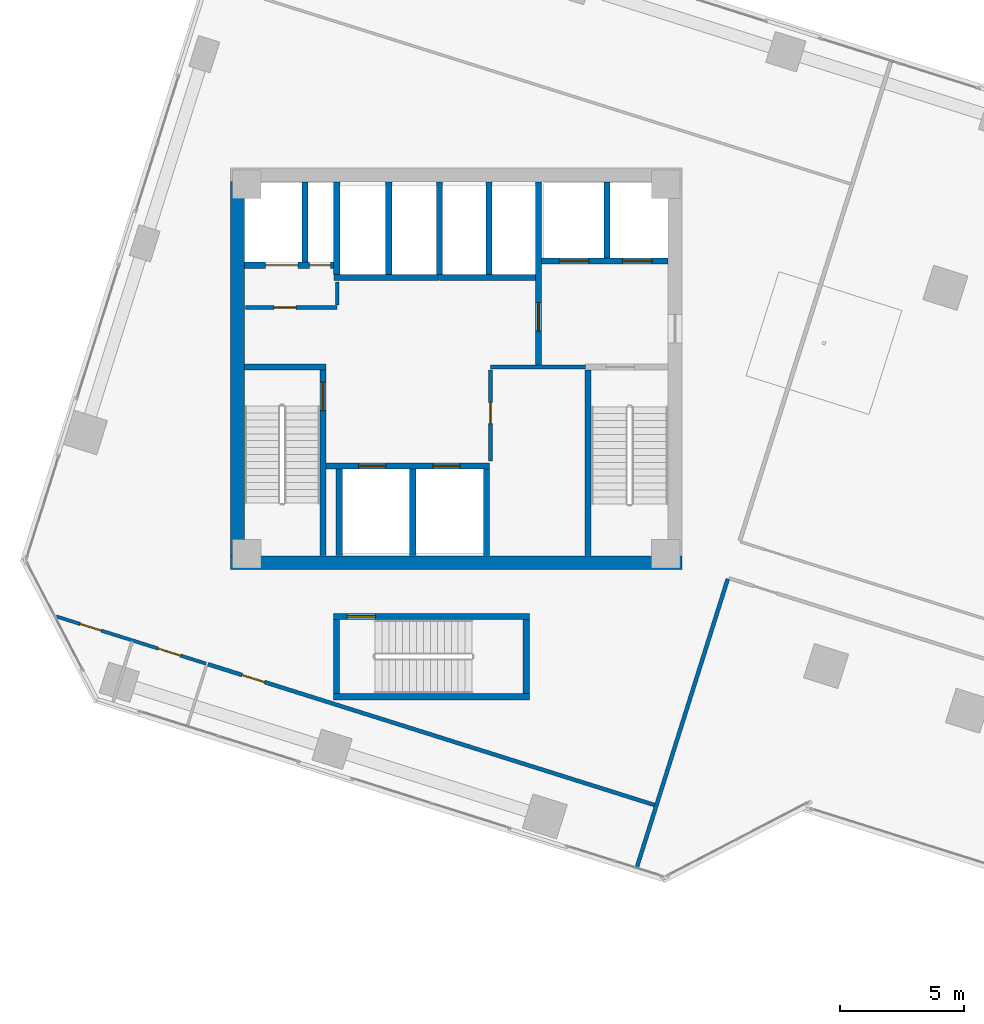
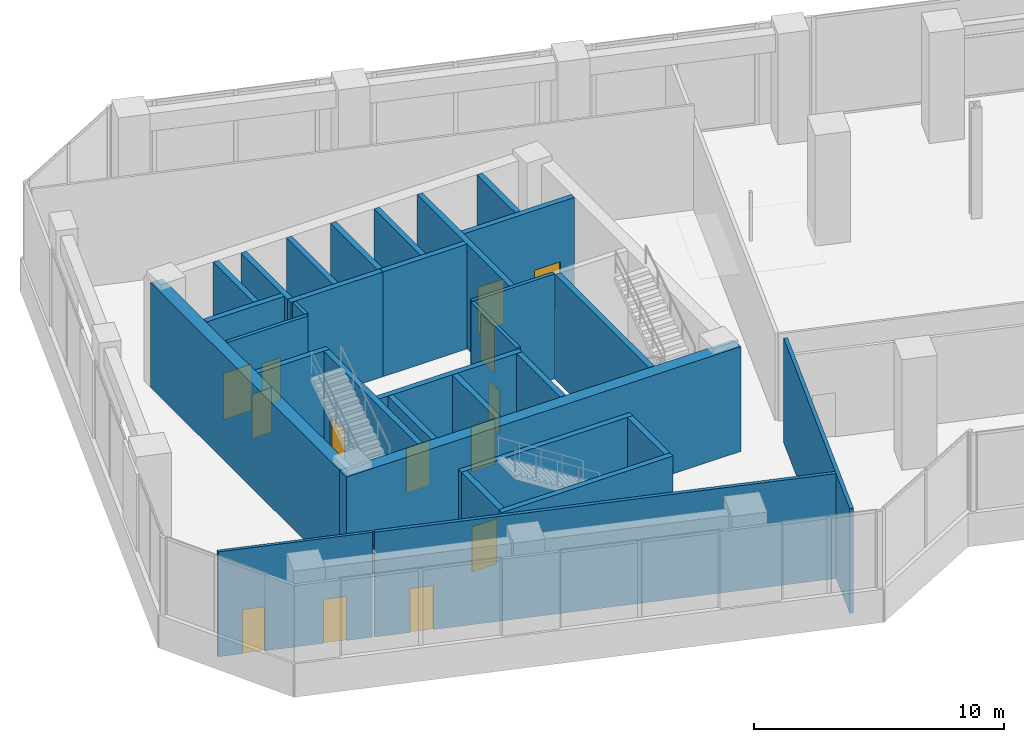
# One storey, part 21 of 28: 31 walls, 14 doors, 14 openings.
"""IFC4 building model written with IfcOpenShell, lengths in metres."""

from ifc_helpers import new_model, si_unit, direction, frame, frame_2d, origin, place, context, subcontext, project, spatial, rectangle, extrude, source, transform, mapped, material, layer, layer_set, type_object, element, fill, save


model = new_model("IFC4")

# Units and contexts
model_context = context("Model", 3, precision=1e-05, world=origin(), true_north=direction((0.0, 1.0)))
body_context = subcontext(model_context, "Body", "Model", "MODEL_VIEW")
ifc_project = project(units=[si_unit("LENGTHUNIT", "METRE"), si_unit("AREAUNIT", "SQUARE_METRE"), si_unit("VOLUMEUNIT", "CUBIC_METRE"), si_unit("PLANEANGLEUNIT", "RADIAN"), si_unit("MASSUNIT", "GRAM", prefix="KILO")], contexts=[model_context])

# Site, building, storey
site_placement = place(None, origin())
site = spatial("IfcSite", under=ifc_project, at=site_placement, CompositionType="ELEMENT")
building_placement = place(site_placement, origin())
building = spatial("IfcBuilding", under=site, at=building_placement, Name="Torre Montelarca", CompositionType="ELEMENT")
storey_placement = place(building_placement, frame((0.0, 0.0, 116.800048828125)))
storey = spatial("IfcBuildingStorey", under=building, at=storey_placement, Name="L26", CompositionType="ELEMENT", Elevation=116.800048828125)

# Wall, opening, door
ifc_material_1 = material(Name="Concrete C40/50", Category="concrete")
ifc_layer_1 = layer(ifc_material_1, 0.25, Name="Concrete C40/50", Category="concrete")
ifc_layer_set_1 = layer_set([ifc_layer_1], Name="Concrete C40/50")
wall_type_1 = type_object("IfcWallType", Name="CW-SHAFT-250", PredefinedType="SHEAR", material=ifc_layer_set_1)
wall_1_placement = place(storey_placement, frame((12.625, 24.4599609375, 0.0), z_axis=(0.0, 0.0, 1.0), x_axis=(0.0, 1.0, 0.0)))
wall_1 = element("IfcWall", 1, at=wall_1_placement, inside=storey, type_object=wall_type_1, Name="L26 Core Shear Wall SH-ST1-E", PredefinedType="SHEAR", context=body_context, shape_type="SweptSolid", body=[
    extrude(rectangle(XDim=7.489990234375, YDim=0.25, at=frame_2d((3.7451171875, 0.0))), origin(), (0.0, 0.0, 1.0), 5.119873046875),
])
opening_1_placement = place(wall_1_placement, frame((5.85009765625, 0.0, 0.0)))
opening_1 = element("IfcOpeningElement", 2, at=opening_1_placement, cuts=wall_1, Name="Opening FD-ST1", PredefinedType="OPENING", context=body_context, shape_type="SweptSolid", body=[
    extrude(rectangle(XDim=1.14990234375, YDim=2.199951171875, at=frame_2d((0.574951171875, 1.10009765625))), frame((0.0, 0.135009765625, 0.0), z_axis=(0.0, -1.0, 0.0), x_axis=(1.0, 0.0, 0.0)), (0.0, 0.0, 1.0), 0.27001953125),
])
ifc_material_2 = material(Name="Galvanized steel fire door", Category="steel")
door_type_1 = type_object("IfcDoorType", Name="DR-STAIR-115", OperationType="NOTDEFINED", PredefinedType="DOOR", material=ifc_material_2)
shared_shape_1 = source(origin(), body_context, "Body", "SweptSolid", [
    extrude(rectangle(XDim=1.14990234375, YDim=2.199951171875, at=frame_2d((0.574951171875, 1.10009765625))), frame((0.0, 0.02490234375, 0.0), z_axis=(0.0, -1.0, 0.0), x_axis=(1.0, 0.0, 0.0)), (0.0, 0.0, 1.0), 0.050048828125),
])
door_1_placement = place(opening_1_placement, origin())
door_1 = element("IfcDoor", 3, at=door_1_placement, inside=storey, type_object=door_type_1, Name="L26 Exit Stair ST1 Fire Door", OperationType="SINGLE_SWING_RIGHT", OverallHeight=2.199951171875, OverallWidth=1.14990234375, PredefinedType="DOOR", context=body_context, shape_type="MappedRepresentation", body=[
    mapped(shared_shape_1, transform((0.0, 0.0, 0.0), scale=1.0)),
])
fill(opening_1, door_1)

# Walls
wall_2_placement = place(storey_placement, frame((9.4599609375, 32.074951171875, 0.0), z_axis=(0.0, 0.0, 1.0), x_axis=(1.0, 0.0, 0.0)))
element("IfcWall", 4, at=wall_2_placement, inside=storey, type_object=wall_type_1, Name="L26 Core Shear Wall SH-ST1-N", PredefinedType="SHEAR", context=body_context, shape_type="SweptSolid", body=[
    extrude(rectangle(XDim=3.2900390625, YDim=0.25, at=frame_2d((1.64501953125, 0.0))), origin(), (0.0, 0.0, 1.0), 5.119873046875),
])
wall_3_placement = place(storey_placement, frame((23.31494140625, 24.4599609375, 0.0), z_axis=(0.0, 0.0, 1.0), x_axis=(0.0, 1.0, 0.0)))
element("IfcWall", 5, at=wall_3_placement, inside=storey, type_object=wall_type_1, Name="L26 Core Shear Wall SH-ST2-W", PredefinedType="SHEAR", context=body_context, shape_type="SweptSolid", body=[
    extrude(rectangle(XDim=7.489990234375, YDim=0.25, at=frame_2d((3.7451171875, 0.0))), origin(), (0.0, 0.0, 1.0), 5.119873046875),
])

# Wall, opening, door
wall_4_placement = place(storey_placement, frame((21.320068359375, 32.1201171875, 0.0), z_axis=(0.0, 0.0, 1.0), x_axis=(0.0, 1.0, 0.0)))
wall_4 = element("IfcWall", 6, at=wall_4_placement, inside=storey, type_object=wall_type_1, Name="L26 Core Shear Wall SH-FFL-W", PredefinedType="SHEAR", context=body_context, shape_type="SweptSolid", body=[
    extrude(rectangle(XDim=7.419921875, YDim=0.25, at=frame_2d((3.7099609375, 0.0))), origin(), (0.0, 0.0, 1.0), 5.119873046875),
])
opening_2_placement = place(wall_4_placement, frame((1.39990234375, 0.0, 0.0)))
opening_2 = element("IfcOpeningElement", 7, at=opening_2_placement, cuts=wall_4, Name="Opening FD-LB1", PredefinedType="OPENING", context=body_context, shape_type="SweptSolid", body=[
    extrude(rectangle(XDim=1.14990234375, YDim=2.199951171875, at=frame_2d((0.574951171875, 1.10009765625))), frame((0.0, 0.135009765625, 0.0), z_axis=(0.0, -1.0, 0.0), x_axis=(1.0, 0.0, 0.0)), (0.0, 0.0, 1.0), 0.27001953125),
])
ifc_material_3 = material(Name="Acoustic timber-veneered fire door", Category="wood")
door_type_2 = type_object("IfcDoorType", Name="DR-LOBBY-115", OperationType="NOTDEFINED", PredefinedType="DOOR", material=ifc_material_3)
shared_shape_2 = source(origin(), body_context, "Body", "SweptSolid", [
    extrude(rectangle(XDim=1.14990234375, YDim=2.199951171875, at=frame_2d((0.574951171875, 1.10009765625))), frame((0.0, 0.02490234375, 0.0), z_axis=(0.0, -1.0, 0.0), x_axis=(1.0, 0.0, 0.0)), (0.0, 0.0, 1.0), 0.050048828125),
])
door_2_placement = place(opening_2_placement, origin())
door_2 = element("IfcDoor", 8, at=door_2_placement, inside=storey, type_object=door_type_2, Name="L26 Lift Lobby to Firefighting Lobby Smoke Door", OperationType="SINGLE_SWING_LEFT", OverallHeight=2.199951171875, OverallWidth=1.14990234375, PredefinedType="DOOR", context=body_context, shape_type="MappedRepresentation", body=[
    mapped(shared_shape_2, transform((0.0, 0.0, 0.0), scale=1.0)),
])
fill(opening_2, door_2)

# Wall, openings, doors
wall_5_placement = place(storey_placement, frame((9.4599609375, 36.179931640625, 0.0), z_axis=(0.0, 0.0, 1.0), x_axis=(1.0, 0.0, 0.0)))
wall_5 = element("IfcWall", 9, at=wall_5_placement, inside=storey, type_object=wall_type_1, Name="L26 Core Shear Wall SH-SV1-S", PredefinedType="SHEAR", context=body_context, shape_type="SweptSolid", body=[
    extrude(rectangle(XDim=3.7900390625, YDim=0.25, at=frame_2d((1.89501953125, 0.0))), origin(), (0.0, 0.0, 1.0), 5.119873046875),
])
opening_3_placement = place(wall_5_placement, frame((2.6201171875, 0.0, 0.0)))
opening_3 = element("IfcOpeningElement", 10, at=opening_3_placement, cuts=wall_5, Name="Opening FD-085", PredefinedType="OPENING", context=body_context, shape_type="SweptSolid", body=[
    extrude(rectangle(XDim=0.85009765625, YDim=2.10009765625, at=frame_2d((0.425048828125, 1.050048828125))), frame((0.0, 0.135009765625, 0.0), z_axis=(0.0, -1.0, 0.0), x_axis=(1.0, 0.0, 0.0)), (0.0, 0.0, 1.0), 0.27001953125),
])
opening_4_placement = place(wall_5_placement, frame((0.85009765625, 0.0, 0.0)))
opening_4 = element("IfcOpeningElement", 11, at=opening_4_placement, cuts=wall_5, Name="Opening LD-130", PredefinedType="OPENING", context=body_context, shape_type="SweptSolid", body=[
    extrude(rectangle(XDim=1.300048828125, YDim=2.25, at=frame_2d((0.64990234375, 1.125))), frame((0.0, 0.135009765625, 0.0), z_axis=(0.0, -1.0, 0.0), x_axis=(1.0, 0.0, 0.0)), (0.0, 0.0, 1.0), 0.27001953125),
])
ifc_material_4 = material(Name="Steel riser access fire door", Category="steel")
door_type_3 = type_object("IfcDoorType", Name="DR-RISER-085", OperationType="NOTDEFINED", PredefinedType="DOOR", material=ifc_material_4)
shared_shape_3 = source(origin(), body_context, "Body", "SweptSolid", [
    extrude(rectangle(XDim=0.85009765625, YDim=2.10009765625, at=frame_2d((0.425048828125, 1.050048828125))), frame((0.0, 0.02490234375, 0.0), z_axis=(0.0, -1.0, 0.0), x_axis=(1.0, 0.0, 0.0)), (0.0, 0.0, 1.0), 0.050048828125),
])
door_3_placement = place(opening_3_placement, origin())
door_3 = element("IfcDoor", 12, at=door_3_placement, inside=storey, type_object=door_type_3, Name="L26 Electrical Riser Shaft Access Door", OperationType="SINGLE_SWING_RIGHT", OverallHeight=2.10009765625, OverallWidth=0.85009765625, PredefinedType="DOOR", context=body_context, shape_type="MappedRepresentation", body=[
    mapped(shared_shape_3, transform((0.0, 0.0, 0.0), scale=1.0)),
])
fill(opening_3, door_3)
ifc_material_5 = material(Name="Brushed stainless steel AISI 316", Category="steel")
door_type_4 = type_object("IfcDoorType", Name="DR-LIFT-130", OperationType="SLIDING_TO_LEFT", PredefinedType="DOOR", material=ifc_material_5)
shared_shape_4 = source(origin(), body_context, "Body", "SweptSolid", [
    extrude(rectangle(XDim=1.300048828125, YDim=2.25, at=frame_2d((0.64990234375, 1.125))), frame((0.0, 0.02490234375, 0.0), z_axis=(0.0, -1.0, 0.0), x_axis=(1.0, 0.0, 0.0)), (0.0, 0.0, 1.0), 0.050048828125),
])
door_4_placement = place(opening_4_placement, origin())
door_4 = element("IfcDoor", 13, at=door_4_placement, inside=storey, type_object=door_type_4, Name="L26 Lift Landing Sliding Door SV-1", OperationType="SLIDING_TO_LEFT", OverallHeight=2.25, OverallWidth=1.300048828125, PredefinedType="DOOR", context=body_context, shape_type="MappedRepresentation", body=[
    mapped(shared_shape_4, transform((0.0, 0.0, 0.0), scale=1.0)),
])
fill(opening_4, door_4)

# Wall
wall_6_placement = place(storey_placement, frame((11.89990234375, 36.31005859375, 0.0), z_axis=(0.0, 0.0, 1.0), x_axis=(0.0, 1.0, 0.0)))
element("IfcWall", 14, at=wall_6_placement, inside=storey, type_object=wall_type_1, Name="L26 Core Shear Wall SH-SV1-E", PredefinedType="SHEAR", context=body_context, shape_type="SweptSolid", body=[
    extrude(rectangle(XDim=3.22998046875, YDim=0.25, at=frame_2d((1.614990234375, 0.0))), origin(), (0.0, 0.0, 1.0), 5.119873046875),
])

# Wall, openings, doors
wall_7_placement = place(storey_placement, frame((21.449951171875, 36.35009765625, 0.0), z_axis=(0.0, 0.0, 1.0), x_axis=(1.0, 0.0, 0.0)))
wall_7 = element("IfcWall", 15, at=wall_7_placement, inside=storey, type_object=wall_type_1, Name="L26 Core Shear Wall SH-FF-S", PredefinedType="SHEAR", context=body_context, shape_type="SweptSolid", body=[
    extrude(rectangle(XDim=5.090087890625, YDim=0.25, at=frame_2d((2.544921875, 0.0))), origin(), (0.0, 0.0, 1.0), 5.119873046875),
])
opening_5_placement = place(wall_7_placement, frame((0.699951171875, 0.0, 0.0)))
opening_5 = element("IfcOpeningElement", 16, at=opening_5_placement, cuts=wall_7, Name="Opening LD-120", PredefinedType="OPENING", context=body_context, shape_type="SweptSolid", body=[
    extrude(rectangle(XDim=1.199951171875, YDim=2.199951171875, at=frame_2d((0.60009765625, 1.10009765625))), frame((0.0, 0.135009765625, 0.0), z_axis=(0.0, -1.0, 0.0), x_axis=(1.0, 0.0, 0.0)), (0.0, 0.0, 1.0), 0.27001953125),
])
opening_6_placement = place(wall_7_placement, frame((3.25, 0.0, 0.0)))
opening_6 = element("IfcOpeningElement", 17, at=opening_6_placement, cuts=wall_7, Name="Opening LD-120", PredefinedType="OPENING", context=body_context, shape_type="SweptSolid", body=[
    extrude(rectangle(XDim=1.199951171875, YDim=2.199951171875, at=frame_2d((0.60009765625, 1.10009765625))), frame((0.0, 0.135009765625, 0.0), z_axis=(0.0, -1.0, 0.0), x_axis=(1.0, 0.0, 0.0)), (0.0, 0.0, 1.0), 0.27001953125),
])
door_type_5 = type_object("IfcDoorType", Name="DR-LIFT-120", OperationType="SLIDING_TO_RIGHT", PredefinedType="DOOR", material=ifc_material_5)
shared_shape_5 = source(origin(), body_context, "Body", "SweptSolid", [
    extrude(rectangle(XDim=1.199951171875, YDim=2.199951171875, at=frame_2d((0.60009765625, 1.10009765625))), frame((0.0, 0.02490234375, 0.0), z_axis=(0.0, -1.0, 0.0), x_axis=(1.0, 0.0, 0.0)), (0.0, 0.0, 1.0), 0.050048828125),
])
door_5_placement = place(opening_5_placement, origin())
door_5 = element("IfcDoor", 18, at=door_5_placement, inside=storey, type_object=door_type_5, Name="L26 Lift Landing Sliding Door FF-1", OperationType="SLIDING_TO_LEFT", OverallHeight=2.199951171875, OverallWidth=1.199951171875, PredefinedType="DOOR", context=body_context, shape_type="MappedRepresentation", body=[
    mapped(shared_shape_5, transform((0.0, 0.0, 0.0), scale=1.0)),
])
fill(opening_5, door_5)
door_6_placement = place(opening_6_placement, origin())
door_6 = element("IfcDoor", 19, at=door_6_placement, inside=storey, type_object=door_type_5, Name="L26 Lift Landing Sliding Door FF-2", OperationType="SLIDING_TO_RIGHT", OverallHeight=2.199951171875, OverallWidth=1.199951171875, PredefinedType="DOOR", context=body_context, shape_type="MappedRepresentation", body=[
    mapped(shared_shape_5, transform((0.0, 0.0, 0.0), scale=1.0)),
])
fill(opening_6, door_6)

# Wall
wall_8_placement = place(storey_placement, frame((24.080078125, 36.47998046875, 0.0), z_axis=(0.0, 0.0, 1.0), x_axis=(0.0, 1.0, 0.0)))
element("IfcWall", 20, at=wall_8_placement, inside=storey, type_object=wall_type_1, Name="L26 Core Shear Wall SH-FF-M", PredefinedType="SHEAR", context=body_context, shape_type="SweptSolid", body=[
    extrude(rectangle(XDim=3.06005859375, YDim=0.25, at=frame_2d((1.530029296875, 0.0))), origin(), (0.0, 0.0, 1.0), 5.119873046875),
])

# Wall, openings, doors
wall_9_placement = place(storey_placement, frame((12.6298828125, 28.080078125, 0.0), z_axis=(0.0, 0.0, 1.0), x_axis=(1.0, 0.0, 0.0)))
wall_9 = element("IfcWall", 21, at=wall_9_placement, inside=storey, type_object=wall_type_1, Name="L26 Core Shear Wall SH-PLL-N", PredefinedType="SHEAR", context=body_context, shape_type="SweptSolid", body=[
    extrude(rectangle(XDim=6.710205078125, YDim=0.25, at=frame_2d((3.35498046875, 0.0))), origin(), (0.0, 0.0, 1.0), 5.119873046875),
])
opening_7_placement = place(wall_9_placement, frame((1.429931640625, 0.0, 0.0)))
opening_7 = element("IfcOpeningElement", 22, at=opening_7_placement, cuts=wall_9, Name="Opening LD-110", PredefinedType="OPENING", context=body_context, shape_type="SweptSolid", body=[
    extrude(rectangle(XDim=1.10009765625, YDim=2.199951171875, at=frame_2d((0.550048828125, 1.10009765625))), frame((0.0, 0.135009765625, 0.0), z_axis=(0.0, -1.0, 0.0), x_axis=(1.0, 0.0, 0.0)), (0.0, 0.0, 1.0), 0.27001953125),
])
opening_8_placement = place(wall_9_placement, frame((4.429931640625, 0.0, 0.0)))
opening_8 = element("IfcOpeningElement", 23, at=opening_8_placement, cuts=wall_9, Name="Opening LD-110", PredefinedType="OPENING", context=body_context, shape_type="SweptSolid", body=[
    extrude(rectangle(XDim=1.10009765625, YDim=2.199951171875, at=frame_2d((0.550048828125, 1.10009765625))), frame((0.0, 0.135009765625, 0.0), z_axis=(0.0, -1.0, 0.0), x_axis=(1.0, 0.0, 0.0)), (0.0, 0.0, 1.0), 0.27001953125),
])
door_type_6 = type_object("IfcDoorType", Name="DR-LIFT-110", OperationType="SLIDING_TO_LEFT", PredefinedType="DOOR", material=ifc_material_5)
shared_shape_6 = source(origin(), body_context, "Body", "SweptSolid", [
    extrude(rectangle(XDim=1.10009765625, YDim=2.199951171875, at=frame_2d((0.550048828125, 1.10009765625))), frame((0.0, 0.02490234375, 0.0), z_axis=(0.0, -1.0, 0.0), x_axis=(1.0, 0.0, 0.0)), (0.0, 0.0, 1.0), 0.050048828125),
])
door_7_placement = place(opening_7_placement, origin())
door_7 = element("IfcDoor", 24, at=door_7_placement, inside=storey, type_object=door_type_6, Name="L26 Lift Landing Sliding Door PL-L1", OperationType="SLIDING_TO_LEFT", OverallHeight=2.199951171875, OverallWidth=1.10009765625, PredefinedType="DOOR", context=body_context, shape_type="MappedRepresentation", body=[
    mapped(shared_shape_6, transform((0.0, 0.0, 0.0), scale=1.0)),
])
fill(opening_7, door_7)
door_8_placement = place(opening_8_placement, origin())
door_8 = element("IfcDoor", 25, at=door_8_placement, inside=storey, type_object=door_type_6, Name="L26 Lift Landing Sliding Door PL-L2", OperationType="SLIDING_TO_RIGHT", OverallHeight=2.199951171875, OverallWidth=1.10009765625, PredefinedType="DOOR", context=body_context, shape_type="MappedRepresentation", body=[
    mapped(shared_shape_6, transform((0.0, 0.0, 0.0), scale=1.0)),
])
fill(opening_8, door_8)

# Walls
for number, where, z_axis, x_axis, name in (
    (26, (13.280029296875, 24.4599609375, 0.0), (0.0, 0.0, 1.0), (0.0, 1.0, 0.0), "L26 Core Shear Wall SH-PLL-W"),
    (27, (16.25, 24.4599609375, 0.0), (0.0, 0.0, 1.0), (0.0, 1.0, 0.0), "L26 Core Shear Wall SH-PLL-M"),
    (28, (19.219970703125, 24.4599609375, 0.0), (0.0, 0.0, 1.0), (0.0, 1.0, 0.0), "L26 Core Shear Wall SH-PLL-E"),
):
    element("IfcWall", number, at=place(storey_placement, frame(where, z_axis=z_axis, x_axis=x_axis)), inside=storey, type_object=wall_type_1, Name=name, PredefinedType="SHEAR", context=body_context, shape_type="SweptSolid", body=[
        extrude(rectangle(XDim=3.489990234375, YDim=0.25, at=frame_2d((1.7451171875, 0.0))), origin(), (0.0, 0.0, 1.0), 5.119873046875),
    ])
wall_10_placement = place(storey_placement, frame((13.06005859375, 35.679931640625, 0.0), z_axis=(0.0, 0.0, 1.0), x_axis=(1.0, 0.0, 0.0)))
element("IfcWall", 29, at=wall_10_placement, inside=storey, type_object=wall_type_1, Name="L26 Core Shear Wall SH-PLM-S", PredefinedType="SHEAR", context=body_context, shape_type="SweptSolid", body=[
    extrude(rectangle(XDim=4.25, YDim=0.25, at=frame_2d((2.125, 0.0))), origin(), (0.0, 0.0, 1.0), 5.119873046875),
])
for number, where, z_axis, x_axis, name in (
    (30, (13.179931640625, 35.81005859375, 0.0), (0.0, 0.0, 1.0), (0.0, 1.0, 0.0), "L26 Core Shear Wall SH-PLM-W"),
    (31, (15.280029296875, 35.81005859375, 0.0), (0.0, 0.0, 1.0), (0.0, 1.0, 0.0), "L26 Core Shear Wall SH-PLM-M"),
):
    element("IfcWall", number, at=place(storey_placement, frame(where, z_axis=z_axis, x_axis=x_axis)), inside=storey, type_object=wall_type_1, Name=name, PredefinedType="SHEAR", context=body_context, shape_type="SweptSolid", body=[
        extrude(rectangle(XDim=3.72998046875, YDim=0.25, at=frame_2d((1.864990234375, 0.0))), origin(), (0.0, 0.0, 1.0), 5.119873046875),
    ])
wall_11_placement = place(storey_placement, frame((17.320068359375, 35.679931640625, 0.0), z_axis=(0.0, 0.0, 1.0), x_axis=(1.0, 0.0, 0.0)))
element("IfcWall", 32, at=wall_11_placement, inside=storey, type_object=wall_type_1, Name="L26 Core Shear Wall SH-PLH-S", PredefinedType="SHEAR", context=body_context, shape_type="SweptSolid", body=[
    extrude(rectangle(XDim=3.869873046875, YDim=0.25, at=frame_2d((1.93505859375, 0.0))), origin(), (0.0, 0.0, 1.0), 5.119873046875),
])
for number, where, z_axis, x_axis, name in (
    (33, (17.320068359375, 35.81005859375, 0.0), (0.0, 0.0, 1.0), (0.0, 1.0, 0.0), "L26 Core Shear Wall SH-PLH-W"),
    (34, (19.320068359375, 35.81005859375, 0.0), (0.0, 0.0, 1.0), (0.0, 1.0, 0.0), "L26 Core Shear Wall SH-PLH-M"),
):
    element("IfcWall", number, at=place(storey_placement, frame(where, z_axis=z_axis, x_axis=x_axis)), inside=storey, type_object=wall_type_1, Name=name, PredefinedType="SHEAR", context=body_context, shape_type="SweptSolid", body=[
        extrude(rectangle(XDim=3.72998046875, YDim=0.25, at=frame_2d((1.864990234375, 0.0))), origin(), (0.0, 0.0, 1.0), 5.119873046875),
    ])
for number, where, z_axis, x_axis, name in (
    (35, (13.175048828125, 18.89990234375, 0.0), (0.0, 0.0, 1.0), (0.0, 1.0, 0.0), "L26 Core Shear Wall SH-ST3-W"),
    (36, (20.824951171875, 18.89990234375, 0.0), (0.0, 0.0, 1.0), (0.0, 1.0, 0.0), "L26 Core Shear Wall SH-ST3-E"),
):
    element("IfcWall", number, at=place(storey_placement, frame(where, z_axis=z_axis, x_axis=x_axis)), inside=storey, type_object=wall_type_1, Name=name, PredefinedType="SHEAR", context=body_context, shape_type="SweptSolid", body=[
        extrude(rectangle(XDim=2.989990234375, YDim=0.25, at=frame_2d((1.4951171875, 0.0))), origin(), (0.0, 0.0, 1.0), 5.119873046875),
    ])
wall_12_placement = place(storey_placement, frame((13.050048828125, 18.77490234375, 0.0), z_axis=(0.0, 0.0, 1.0), x_axis=(1.0, 0.0, 0.0)))
element("IfcWall", 37, at=wall_12_placement, inside=storey, type_object=wall_type_1, Name="L26 Core Shear Wall SH-ST3-S", PredefinedType="SHEAR", context=body_context, shape_type="SweptSolid", body=[
    extrude(rectangle(XDim=7.89990234375, YDim=0.25, at=frame_2d((3.949951171875, 0.0))), origin(), (0.0, 0.0, 1.0), 5.119873046875),
])

# Wall, opening, door
wall_13_placement = place(storey_placement, frame((13.050048828125, 22.014892578125, 0.0), z_axis=(0.0, 0.0, 1.0), x_axis=(1.0, 0.0, 0.0)))
wall_13 = element("IfcWall", 38, at=wall_13_placement, inside=storey, type_object=wall_type_1, Name="L26 Core Shear Wall SH-ST3-N", PredefinedType="SHEAR", context=body_context, shape_type="SweptSolid", body=[
    extrude(rectangle(XDim=7.89990234375, YDim=0.25, at=frame_2d((3.949951171875, 0.0))), origin(), (0.0, 0.0, 1.0), 5.119873046875),
])
opening_9_placement = place(wall_13_placement, frame((0.550048828125, 0.0, 0.0)))
opening_9 = element("IfcOpeningElement", 39, at=opening_9_placement, cuts=wall_13, Name="Opening FD-ST1", PredefinedType="OPENING", context=body_context, shape_type="SweptSolid", body=[
    extrude(rectangle(XDim=1.14990234375, YDim=2.199951171875, at=frame_2d((0.574951171875, 1.10009765625))), frame((0.0, 0.135009765625, 0.0), z_axis=(0.0, -1.0, 0.0), x_axis=(1.0, 0.0, 0.0)), (0.0, 0.0, 1.0), 0.27001953125),
])
door_9_placement = place(opening_9_placement, origin())
door_9 = element("IfcDoor", 40, at=door_9_placement, inside=storey, type_object=door_type_1, Name="L26 Exit Stair ST3 Fire Door", OperationType="SINGLE_SWING_LEFT", OverallHeight=2.199951171875, OverallWidth=1.14990234375, PredefinedType="DOOR", context=body_context, shape_type="MappedRepresentation", body=[
    mapped(shared_shape_1, transform((0.0, 0.0, 0.0), scale=1.0)),
])
fill(opening_9, door_9)

# Walls
ifc_material_6 = material(Name="Concrete C70/85", Category="concrete")
ifc_layer_2 = layer(ifc_material_6, 0.550048828125, Name="Concrete C70/85", Category="concrete")
ifc_layer_set_2 = layer_set([ifc_layer_2], Name="Concrete C70/85")
wall_type_2 = type_object("IfcWallType", Name="CW-SHEAR-550", PredefinedType="SHEAR", material=ifc_layer_set_2)
wall_14_placement = place(storey_placement, frame((9.175048828125, 24.449951171875, 0.0), z_axis=(0.0, 0.0, 1.0), x_axis=(0.0, 1.0, 0.0)))
element("IfcWall", 41, at=wall_14_placement, inside=storey, type_object=wall_type_2, Name="L26 Core Shear Wall CW-W", PredefinedType="SHEAR", context=body_context, shape_type="SweptSolid", body=[
    extrude(rectangle(XDim=15.10009765625, YDim=0.550048828125, at=frame_2d((7.550048828125, 0.0))), origin(), (0.0, 0.0, 1.0), 5.119873046875),
])
wall_15_placement = place(storey_placement, frame((8.89990234375, 24.175048828125, 0.0), z_axis=(0.0, 0.0, 1.0), x_axis=(1.0, 0.0, 0.0)))
element("IfcWall", 42, at=wall_15_placement, inside=storey, type_object=wall_type_2, Name="L26 Core Shear Wall CW-S1", PredefinedType="SHEAR", context=body_context, shape_type="SweptSolid", body=[
    extrude(rectangle(XDim=18.2001953125, YDim=0.550048828125, at=frame_2d((9.10009765625, 0.0))), origin(), (0.0, 0.0, 1.0), 5.119873046875),
])

# Wall, opening, door
ifc_material_7 = material(Name="Gypsum plasterboard on steel stud", Category="steel")
ifc_layer_3 = layer(ifc_material_7, 0.159912109375, Name="Gypsum plasterboard on steel stud", Category="steel")
ifc_layer_set_3 = layer_set([ifc_layer_3], Name="Gypsum plasterboard on steel stud")
wall_type_3 = type_object("IfcWallType", Name="PW-FIRE-160", PredefinedType="PARTITIONING", material=ifc_layer_set_3)
wall_16_placement = place(storey_placement, frame((9.489990234375, 34.47998046875, 0.0), z_axis=(0.0, 0.0, 1.0), x_axis=(1.0, 0.0, 0.0)))
wall_16 = element("IfcWall", 43, at=wall_16_placement, inside=storey, type_object=wall_type_3, Name="L26 Interior Partition CW-L26-SVS", PredefinedType="PARTITIONING", context=body_context, shape_type="SweptSolid", body=[
    extrude(rectangle(XDim=3.699951171875, YDim=0.159912109375, at=frame_2d((1.85009765625, 0.0))), origin(), (0.0, 0.0, 1.0), 5.119873046875),
])
opening_10_placement = place(wall_16_placement, frame((1.14990234375, 0.0, 0.0)))
opening_10 = element("IfcOpeningElement", 44, at=opening_10_placement, cuts=wall_16, Name="Opening FD-090", PredefinedType="OPENING", context=body_context, shape_type="SweptSolid", body=[
    extrude(rectangle(XDim=0.89990234375, YDim=2.14990234375, at=frame_2d((0.449951171875, 1.074951171875))), frame((0.0, 0.08984375, 0.0), z_axis=(0.0, -1.0, 0.0), x_axis=(1.0, 0.0, 0.0)), (0.0, 0.0, 1.0), 0.179931640625),
])
ifc_material_8 = material(Name="Steel service fire door", Category="steel")
door_type_7 = type_object("IfcDoorType", Name="DR-FIRE-090", OperationType="NOTDEFINED", PredefinedType="DOOR", material=ifc_material_8)
shared_shape_7 = source(origin(), body_context, "Body", "SweptSolid", [
    extrude(rectangle(XDim=0.89990234375, YDim=2.14990234375, at=frame_2d((0.449951171875, 1.074951171875))), frame((0.0, 0.02490234375, 0.0), z_axis=(0.0, -1.0, 0.0), x_axis=(1.0, 0.0, 0.0)), (0.0, 0.0, 1.0), 0.050048828125),
])
door_10_placement = place(opening_10_placement, origin())
door_10 = element("IfcDoor", 45, at=door_10_placement, inside=storey, type_object=door_type_7, Name="L26 Interior Door 01", OperationType="SINGLE_SWING_RIGHT", OverallHeight=2.14990234375, OverallWidth=0.89990234375, PredefinedType="DOOR", context=body_context, shape_type="MappedRepresentation", body=[
    mapped(shared_shape_7, transform((0.0, 0.0, 0.0), scale=1.0)),
])
fill(opening_10, door_10)

# Walls
wall_17_placement = place(storey_placement, frame((13.199951171875, 34.570068359375, 0.0), z_axis=(0.0, 0.0, 1.0), x_axis=(0.0, 1.0, 0.0)))
element("IfcWall", 46, at=wall_17_placement, inside=storey, type_object=wall_type_3, Name="L26 Interior Partition CW-L26-SVE", PredefinedType="PARTITIONING", context=body_context, shape_type="SweptSolid", body=[
    extrude(rectangle(XDim=0.93994140625, YDim=0.159912109375, at=frame_2d((0.469970703125, 0.0))), origin(), (0.0, 0.0, 1.0), 5.119873046875),
])
wall_18_placement = place(storey_placement, frame((19.389892578125, 32.080078125, 0.0), z_axis=(0.0, 0.0, 1.0), x_axis=(1.0, 0.0, 0.0)))
element("IfcWall", 47, at=wall_18_placement, inside=storey, type_object=wall_type_3, Name="L26 Interior Partition CW-L26-SEN", PredefinedType="PARTITIONING", context=body_context, shape_type="SweptSolid", body=[
    extrude(rectangle(XDim=3.820068359375, YDim=0.159912109375, at=frame_2d((1.91015625, 0.0))), origin(), (0.0, 0.0, 1.0), 5.119873046875),
])

# Wall, opening, door
wall_19_placement = place(storey_placement, frame((19.3798828125, 28.2900390625, 0.0), z_axis=(0.0, 0.0, 1.0), x_axis=(0.0, 1.0, 0.0)))
wall_19 = element("IfcWall", 48, at=wall_19_placement, inside=storey, type_object=wall_type_3, Name="L26 Interior Partition CW-L26-SEW", PredefinedType="PARTITIONING", context=body_context, shape_type="SweptSolid", body=[
    extrude(rectangle(XDim=3.669921875, YDim=0.159912109375, at=frame_2d((1.8349609375, 0.0))), origin(), (0.0, 0.0, 1.0), 5.119873046875),
])
opening_11_placement = place(wall_19_placement, frame((1.5, 0.0, 0.0)))
opening_11 = element("IfcOpeningElement", 49, at=opening_11_placement, cuts=wall_19, Name="Opening FD-085", PredefinedType="OPENING", context=body_context, shape_type="SweptSolid", body=[
    extrude(rectangle(XDim=0.85009765625, YDim=2.10009765625, at=frame_2d((0.425048828125, 1.050048828125))), frame((0.0, 0.08984375, 0.0), z_axis=(0.0, -1.0, 0.0), x_axis=(1.0, 0.0, 0.0)), (0.0, 0.0, 1.0), 0.179931640625),
])
door_11_placement = place(opening_11_placement, origin())
door_11 = element("IfcDoor", 50, at=door_11_placement, inside=storey, type_object=door_type_3, Name="L26 Interior Door 02", OperationType="SINGLE_SWING_RIGHT", OverallHeight=2.10009765625, OverallWidth=0.85009765625, PredefinedType="DOOR", context=body_context, shape_type="MappedRepresentation", body=[
    mapped(shared_shape_3, transform((0.0, 0.0, 0.0), scale=1.0)),
])
fill(opening_11, door_11)

wall_20_placement = place(storey_placement, frame((7.98095703125, 20.083740234375, 0.0), z_axis=(0.0, 0.0, 1.0), x_axis=(0.953717062222, -0.300705445953, 0.0)))
wall_20 = element("IfcWall", 51, at=wall_20_placement, inside=storey, type_object=wall_type_3, Name="L26 Interior Partition W-L26-SOCCN", PredefinedType="PARTITIONING", context=body_context, shape_type="SweptSolid", body=[
    extrude(rectangle(XDim=18.93017578125, YDim=0.159912109375, at=frame_2d((9.465087890625, 0.0))), origin(), (0.0, 0.0, 1.0), 5.119873046875),
])
opening_12_placement = place(wall_20_placement, frame((1.449951171875, 0.0, 0.0)))
opening_12 = element("IfcOpeningElement", 52, at=opening_12_placement, cuts=wall_20, Name="Opening FD-095", PredefinedType="OPENING", context=body_context, shape_type="SweptSolid", body=[
    extrude(rectangle(XDim=0.949951171875, YDim=2.14990234375, at=frame_2d((0.47509765625, 1.074951171875))), frame((0.0, 0.08984375, 0.0), z_axis=(0.0, -1.0, 0.0), x_axis=(1.0, 0.0, 0.0)), (0.0, 0.0, 1.0), 0.179931640625),
])
ifc_material_9 = material(Name="Timber fire-rated room door", Category="wood")
door_type_8 = type_object("IfcDoorType", Name="DR-FIRE-095", OperationType="NOTDEFINED", PredefinedType="DOOR", material=ifc_material_9)
shared_shape_8 = source(origin(), body_context, "Body", "SweptSolid", [
    extrude(rectangle(XDim=0.949951171875, YDim=2.14990234375, at=frame_2d((0.47509765625, 1.074951171875))), frame((0.0, 0.02490234375, 0.0), z_axis=(0.0, -1.0, 0.0), x_axis=(1.0, 0.0, 0.0)), (0.0, 0.0, 1.0), 0.050048828125),
])
door_12_placement = place(opening_12_placement, origin())
door_12 = element("IfcDoor", 53, at=door_12_placement, inside=storey, type_object=door_type_8, Name="L26 Interior Door 05", OperationType="SINGLE_SWING_RIGHT", OverallHeight=2.14990234375, OverallWidth=0.949951171875, PredefinedType="DOOR", context=body_context, shape_type="MappedRepresentation", body=[
    mapped(shared_shape_8, transform((0.0, 0.0, 0.0), scale=1.0)),
])
fill(opening_12, door_12)

# Wall
wall_21_placement = place(storey_placement, frame((25.294189453125, 11.9091796875, 0.0), z_axis=(0.0, 0.0, 1.0), x_axis=(0.300707324156, 0.953716470026, 0.0)))
element("IfcWall", 54, at=wall_21_placement, inside=storey, type_object=wall_type_3, Name="L26 Interior Partition W-L26-ECS", PredefinedType="PARTITIONING", context=body_context, shape_type="SweptSolid", body=[
    extrude(rectangle(XDim=12.179931640625, YDim=0.159912109375, at=frame_2d((6.08984375, 0.0))), origin(), (0.0, 0.0, 1.0), 5.119873046875),
])

# Wall, openings, doors
ifc_layer_4 = layer(ifc_material_7, 0.135009765625, Name="Gypsum plasterboard on steel stud", Category="steel")
ifc_layer_set_4 = layer_set([ifc_layer_4], Name="Gypsum plasterboard on steel stud")
wall_type_4 = type_object("IfcWallType", Name="PW-PART-135", PredefinedType="PARTITIONING", material=ifc_layer_set_4)
wall_22_placement = place(storey_placement, frame((1.856201171875, 22.014892578125, 0.0), z_axis=(0.0, 0.0, 1.0), x_axis=(0.953711734195, -0.300722343796, 0.0)))
wall_22 = element("IfcWall", 55, at=wall_22_placement, inside=storey, type_object=wall_type_4, Name="L26 Interior Partition W-L26-WCN", PredefinedType="PARTITIONING", context=body_context, shape_type="SweptSolid", body=[
    extrude(rectangle(XDim=6.342041015625, YDim=0.135009765625, at=frame_2d((3.1708984375, 0.0))), origin(), (0.0, 0.0, 1.0), 5.119873046875),
])
opening_13_placement = place(wall_22_placement, frame((1.02001953125, 0.0, 0.0)))
opening_13 = element("IfcOpeningElement", 56, at=opening_13_placement, cuts=wall_22, Name="Opening ID-090", PredefinedType="OPENING", context=body_context, shape_type="SweptSolid", body=[
    extrude(rectangle(XDim=0.89990234375, YDim=2.14990234375, at=frame_2d((0.449951171875, 1.074951171875))), frame((0.0, 0.07763671875, 0.0), z_axis=(0.0, -1.0, 0.0), x_axis=(1.0, 0.0, 0.0)), (0.0, 0.0, 1.0), 0.155029296875),
])
opening_14_placement = place(wall_22_placement, frame((4.320068359375, 0.0, 0.0)))
opening_14 = element("IfcOpeningElement", 57, at=opening_14_placement, cuts=wall_22, Name="Opening ID-095", PredefinedType="OPENING", context=body_context, shape_type="SweptSolid", body=[
    extrude(rectangle(XDim=0.949951171875, YDim=2.14990234375, at=frame_2d((0.47509765625, 1.074951171875))), frame((0.0, 0.07763671875, 0.0), z_axis=(0.0, -1.0, 0.0), x_axis=(1.0, 0.0, 0.0)), (0.0, 0.0, 1.0), 0.155029296875),
])
ifc_material_10 = material(Name="Hardwood acoustic timber veneer", Category="wood")
door_type_9 = type_object("IfcDoorType", Name="DR-INT-090", OperationType="NOTDEFINED", PredefinedType="DOOR", material=ifc_material_10)
shared_shape_9 = source(origin(), body_context, "Body", "SweptSolid", [
    extrude(rectangle(XDim=0.89990234375, YDim=2.14990234375, at=frame_2d((0.449951171875, 1.074951171875))), frame((0.0, 0.02490234375, 0.0), z_axis=(0.0, -1.0, 0.0), x_axis=(1.0, 0.0, 0.0)), (0.0, 0.0, 1.0), 0.050048828125),
])
door_13_placement = place(opening_13_placement, origin())
door_13 = element("IfcDoor", 58, at=door_13_placement, inside=storey, type_object=door_type_9, Name="L26 Interior Door 03", OperationType="SINGLE_SWING_LEFT", OverallHeight=2.14990234375, OverallWidth=0.89990234375, PredefinedType="DOOR", context=body_context, shape_type="MappedRepresentation", body=[
    mapped(shared_shape_9, transform((0.0, 0.0, 0.0), scale=1.0)),
])
fill(opening_13, door_13)
door_type_10 = type_object("IfcDoorType", Name="DR-INT-095", OperationType="NOTDEFINED", PredefinedType="DOOR", material=ifc_material_10)
shared_shape_10 = source(origin(), body_context, "Body", "SweptSolid", [
    extrude(rectangle(XDim=0.949951171875, YDim=2.14990234375, at=frame_2d((0.47509765625, 1.074951171875))), frame((0.0, 0.02490234375, 0.0), z_axis=(0.0, -1.0, 0.0), x_axis=(1.0, 0.0, 0.0)), (0.0, 0.0, 1.0), 0.050048828125),
])
door_14_placement = place(opening_14_placement, origin())
door_14 = element("IfcDoor", 59, at=door_14_placement, inside=storey, type_object=door_type_10, Name="L26 Interior Door 04", OperationType="SINGLE_SWING_RIGHT", OverallHeight=2.14990234375, OverallWidth=0.949951171875, PredefinedType="DOOR", context=body_context, shape_type="MappedRepresentation", body=[
    mapped(shared_shape_10, transform((0.0, 0.0, 0.0), scale=1.0)),
])
fill(opening_14, door_14)

save(model, "model.ifc")
